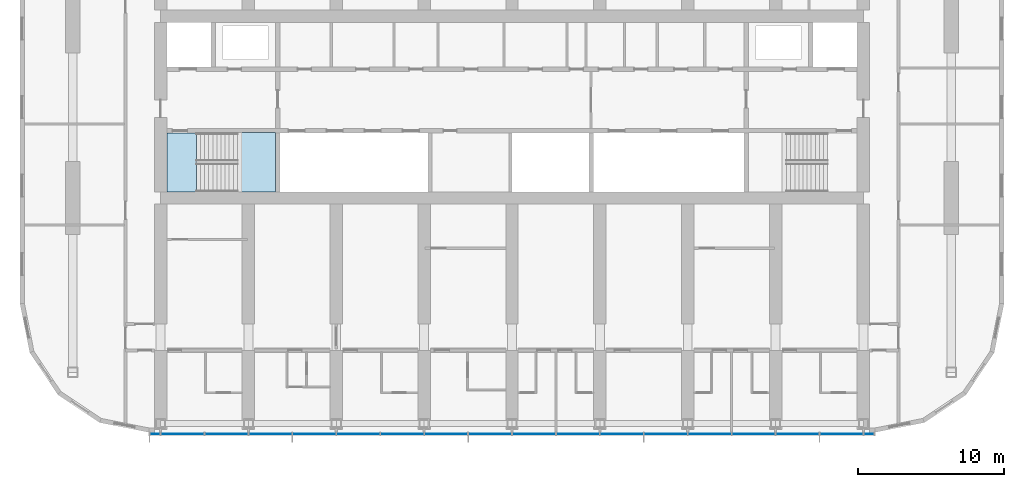
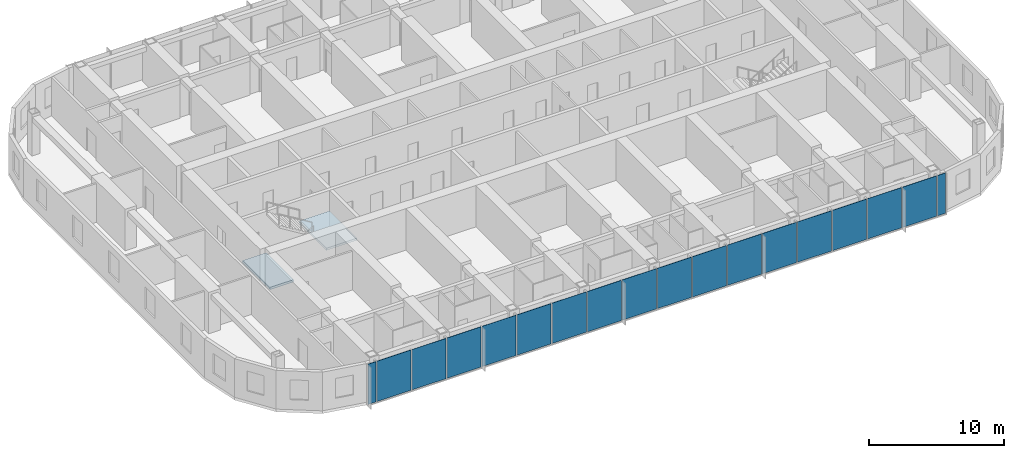
# One storey, part 7 of 23: 18 plates, 2 slabs, 2 elements without a shape of their own.
"""IFC4 building model written with IfcOpenShell, lengths in metres."""

from ifc_helpers import new_model, si_unit, direction, frame, origin, origin_2d, place, context, subcontext, project, spatial, polyline, rectangle, outline, extrude, material, layer, layer_set, type_object, element, aggregate, save


model = new_model("IFC4")

# Units and contexts
model_context = context("Model", 3, precision=1e-05, world=origin(), true_north=direction((0.0, 1.0)))
body_context = subcontext(model_context, "Body", "Model", "MODEL_VIEW")
ifc_project = project(units=[si_unit("LENGTHUNIT", "METRE"), si_unit("AREAUNIT", "SQUARE_METRE"), si_unit("VOLUMEUNIT", "CUBIC_METRE"), si_unit("PLANEANGLEUNIT", "RADIAN"), si_unit("MASSUNIT", "GRAM", prefix="KILO")], contexts=[model_context])

# Site, building, storey
site_placement = place(None, origin())
site = spatial("IfcSite", under=ifc_project, at=site_placement, CompositionType="ELEMENT")
building_placement = place(site_placement, origin())
building = spatial("IfcBuilding", under=site, at=building_placement, Name="Orbita Commons", CompositionType="ELEMENT")
storey_placement = place(building_placement, frame((0.0, 0.0, 171.10009765625)))
storey = spatial("IfcBuildingStorey", under=building, at=storey_placement, Name="L42", CompositionType="ELEMENT", Elevation=171.10009765625)

# Curtain wall, plates
ifc_material_1 = material(Name="Anodised aluminium frame, pale silver", Category="aluminium")
curtain_wall_type = type_object("IfcCurtainWallType", Name="Unitised curtain wall CW-U, full-height vision", PredefinedType="NOTDEFINED", material=ifc_material_1)
curtain_wall_placement = place(storey_placement, origin())
curtain_wall = element("IfcCurtainWall", 1, at=curtain_wall_placement, inside=storey, type_object=curtain_wall_type, Name="Curtain wall south L42", PredefinedType="NOTDEFINED")
ifc_material_2 = material(Name="Clear double glazing", Category="glass")
ifc_layer_1 = layer(ifc_material_2, 0.031982421875)
ifc_layer_set_1 = layer_set([ifc_layer_1], Name="Clear double glazing")
plate_type = type_object("IfcPlateType", Name="Full-height vision panel, clear glazing 32", PredefinedType="CURTAIN_PANEL", material=ifc_layer_set_1)
plate_1_placement = place(storey_placement, frame((17.6201171875, 9.68994140625, -0.150146484375), z_axis=(0.0, 0.0, 1.0), x_axis=(1.0, 0.0, 0.0)))
plate_1 = element("IfcPlate", 2, at=plate_1_placement, type_object=plate_type, Name="Panel 1.1 CW-L42-S", PredefinedType="CURTAIN_PANEL", context=body_context, shape_type="SweptSolid", body=[
    extrude(rectangle(XDim=0.679931640625, YDim=0.031982421875, at=origin_2d()), origin(), (0.0, 0.0, 1.0), 3.64990234375),
])
plate_2_placement = place(storey_placement, frame((19.5, 9.68994140625, -0.150146484375), z_axis=(0.0, 0.0, 1.0), x_axis=(1.0, 0.0, 0.0)))
plate_2 = element("IfcPlate", 3, at=plate_2_placement, type_object=plate_type, Name="Panel 2.1 CW-L42-S", PredefinedType="CURTAIN_PANEL", context=body_context, shape_type="SweptSolid", body=[
    extrude(rectangle(XDim=2.919921875, YDim=0.031982421875, at=origin_2d()), origin(), (0.0, 0.0, 1.0), 3.64990234375),
])
plate_3_placement = place(storey_placement, frame((22.5, 9.68994140625, -0.150146484375), z_axis=(0.0, 0.0, 1.0), x_axis=(1.0, 0.0, 0.0)))
plate_3 = element("IfcPlate", 4, at=plate_3_placement, type_object=plate_type, Name="Panel 3.1 CW-L42-S", PredefinedType="CURTAIN_PANEL", context=body_context, shape_type="SweptSolid", body=[
    extrude(rectangle(XDim=2.919921875, YDim=0.031982421875, at=origin_2d()), origin(), (0.0, 0.0, 1.0), 3.64990234375),
])
plate_4_placement = place(storey_placement, frame((25.5, 9.68994140625, -0.150146484375), z_axis=(0.0, 0.0, 1.0), x_axis=(1.0, 0.0, 0.0)))
plate_4 = element("IfcPlate", 5, at=plate_4_placement, type_object=plate_type, Name="Panel 4.1 CW-L42-S", PredefinedType="CURTAIN_PANEL", context=body_context, shape_type="SweptSolid", body=[
    extrude(rectangle(XDim=2.919921875, YDim=0.031982421875, at=origin_2d()), origin(), (0.0, 0.0, 1.0), 3.64990234375),
])
plate_5_placement = place(storey_placement, frame((28.5, 9.68994140625, -0.150146484375), z_axis=(0.0, 0.0, 1.0), x_axis=(1.0, 0.0, 0.0)))
plate_5 = element("IfcPlate", 6, at=plate_5_placement, type_object=plate_type, Name="Panel 5.1 CW-L42-S", PredefinedType="CURTAIN_PANEL", context=body_context, shape_type="SweptSolid", body=[
    extrude(rectangle(XDim=2.919921875, YDim=0.031982421875, at=origin_2d()), origin(), (0.0, 0.0, 1.0), 3.64990234375),
])
plate_6_placement = place(storey_placement, frame((31.5, 9.68994140625, -0.150146484375), z_axis=(0.0, 0.0, 1.0), x_axis=(1.0, 0.0, 0.0)))
plate_6 = element("IfcPlate", 7, at=plate_6_placement, type_object=plate_type, Name="Panel 6.1 CW-L42-S", PredefinedType="CURTAIN_PANEL", context=body_context, shape_type="SweptSolid", body=[
    extrude(rectangle(XDim=2.919921875, YDim=0.031982421875, at=origin_2d()), origin(), (0.0, 0.0, 1.0), 3.64990234375),
])
plate_7_placement = place(storey_placement, frame((34.5, 9.68994140625, -0.150146484375), z_axis=(0.0, 0.0, 1.0), x_axis=(1.0, 0.0, 0.0)))
plate_7 = element("IfcPlate", 8, at=plate_7_placement, type_object=plate_type, Name="Panel 7.1 CW-L42-S", PredefinedType="CURTAIN_PANEL", context=body_context, shape_type="SweptSolid", body=[
    extrude(rectangle(XDim=2.919921875, YDim=0.031982421875, at=origin_2d()), origin(), (0.0, 0.0, 1.0), 3.64990234375),
])
plate_8_placement = place(storey_placement, frame((37.5, 9.68994140625, -0.150146484375), z_axis=(0.0, 0.0, 1.0), x_axis=(1.0, 0.0, 0.0)))
plate_8 = element("IfcPlate", 9, at=plate_8_placement, type_object=plate_type, Name="Panel 8.1 CW-L42-S", PredefinedType="CURTAIN_PANEL", context=body_context, shape_type="SweptSolid", body=[
    extrude(rectangle(XDim=2.919921875, YDim=0.031982421875, at=origin_2d()), origin(), (0.0, 0.0, 1.0), 3.64990234375),
])
plate_9_placement = place(storey_placement, frame((40.5, 9.68994140625, -0.150146484375), z_axis=(0.0, 0.0, 1.0), x_axis=(1.0, 0.0, 0.0)))
plate_9 = element("IfcPlate", 10, at=plate_9_placement, type_object=plate_type, Name="Panel 9.1 CW-L42-S", PredefinedType="CURTAIN_PANEL", context=body_context, shape_type="SweptSolid", body=[
    extrude(rectangle(XDim=2.919921875, YDim=0.031982421875, at=origin_2d()), origin(), (0.0, 0.0, 1.0), 3.64990234375),
])
plate_10_placement = place(storey_placement, frame((43.5, 9.68994140625, -0.150146484375), z_axis=(0.0, 0.0, 1.0), x_axis=(1.0, 0.0, 0.0)))
plate_10 = element("IfcPlate", 11, at=plate_10_placement, type_object=plate_type, Name="Panel 10.1 CW-L42-S", PredefinedType="CURTAIN_PANEL", context=body_context, shape_type="SweptSolid", body=[
    extrude(rectangle(XDim=2.919921875, YDim=0.031982421875, at=origin_2d()), origin(), (0.0, 0.0, 1.0), 3.64990234375),
])
plate_11_placement = place(storey_placement, frame((46.5, 9.68994140625, -0.150146484375), z_axis=(0.0, 0.0, 1.0), x_axis=(1.0, 0.0, 0.0)))
plate_11 = element("IfcPlate", 12, at=plate_11_placement, type_object=plate_type, Name="Panel 11.1 CW-L42-S", PredefinedType="CURTAIN_PANEL", context=body_context, shape_type="SweptSolid", body=[
    extrude(rectangle(XDim=2.919921875, YDim=0.031982421875, at=origin_2d()), origin(), (0.0, 0.0, 1.0), 3.64990234375),
])
plate_12_placement = place(storey_placement, frame((49.5, 9.68994140625, -0.150146484375), z_axis=(0.0, 0.0, 1.0), x_axis=(1.0, 0.0, 0.0)))
plate_12 = element("IfcPlate", 13, at=plate_12_placement, type_object=plate_type, Name="Panel 12.1 CW-L42-S", PredefinedType="CURTAIN_PANEL", context=body_context, shape_type="SweptSolid", body=[
    extrude(rectangle(XDim=2.919921875, YDim=0.031982421875, at=origin_2d()), origin(), (0.0, 0.0, 1.0), 3.64990234375),
])
plate_13_placement = place(storey_placement, frame((52.5, 9.68994140625, -0.150146484375), z_axis=(0.0, 0.0, 1.0), x_axis=(1.0, 0.0, 0.0)))
plate_13 = element("IfcPlate", 14, at=plate_13_placement, type_object=plate_type, Name="Panel 13.1 CW-L42-S", PredefinedType="CURTAIN_PANEL", context=body_context, shape_type="SweptSolid", body=[
    extrude(rectangle(XDim=2.919921875, YDim=0.031982421875, at=origin_2d()), origin(), (0.0, 0.0, 1.0), 3.64990234375),
])
plate_14_placement = place(storey_placement, frame((55.5, 9.68994140625, -0.150146484375), z_axis=(0.0, 0.0, 1.0), x_axis=(1.0, 0.0, 0.0)))
plate_14 = element("IfcPlate", 15, at=plate_14_placement, type_object=plate_type, Name="Panel 14.1 CW-L42-S", PredefinedType="CURTAIN_PANEL", context=body_context, shape_type="SweptSolid", body=[
    extrude(rectangle(XDim=2.919921875, YDim=0.031982421875, at=origin_2d()), origin(), (0.0, 0.0, 1.0), 3.64990234375),
])
plate_15_placement = place(storey_placement, frame((58.5, 9.68994140625, -0.150146484375), z_axis=(0.0, 0.0, 1.0), x_axis=(1.0, 0.0, 0.0)))
plate_15 = element("IfcPlate", 16, at=plate_15_placement, type_object=plate_type, Name="Panel 15.1 CW-L42-S", PredefinedType="CURTAIN_PANEL", context=body_context, shape_type="SweptSolid", body=[
    extrude(rectangle(XDim=2.919921875, YDim=0.031982421875, at=origin_2d()), origin(), (0.0, 0.0, 1.0), 3.64990234375),
])
plate_16_placement = place(storey_placement, frame((61.5, 9.68994140625, -0.150146484375), z_axis=(0.0, 0.0, 1.0), x_axis=(1.0, 0.0, 0.0)))
plate_16 = element("IfcPlate", 17, at=plate_16_placement, type_object=plate_type, Name="Panel 16.1 CW-L42-S", PredefinedType="CURTAIN_PANEL", context=body_context, shape_type="SweptSolid", body=[
    extrude(rectangle(XDim=2.919921875, YDim=0.031982421875, at=origin_2d()), origin(), (0.0, 0.0, 1.0), 3.64990234375),
])
plate_17_placement = place(storey_placement, frame((64.5, 9.68994140625, -0.150146484375), z_axis=(0.0, 0.0, 1.0), x_axis=(1.0, 0.0, 0.0)))
plate_17 = element("IfcPlate", 18, at=plate_17_placement, type_object=plate_type, Name="Panel 17.1 CW-L42-S", PredefinedType="CURTAIN_PANEL", context=body_context, shape_type="SweptSolid", body=[
    extrude(rectangle(XDim=2.919921875, YDim=0.031982421875, at=origin_2d()), origin(), (0.0, 0.0, 1.0), 3.64990234375),
])
plate_18_placement = place(storey_placement, frame((66.3798828125, 9.68994140625, -0.150146484375), z_axis=(0.0, 0.0, 1.0), x_axis=(1.0, 0.0, 0.0)))
plate_18 = element("IfcPlate", 19, at=plate_18_placement, type_object=plate_type, Name="Panel 18.1 CW-L42-S", PredefinedType="CURTAIN_PANEL", context=body_context, shape_type="SweptSolid", body=[
    extrude(rectangle(XDim=0.679931640625, YDim=0.031982421875, at=origin_2d()), origin(), (0.0, 0.0, 1.0), 3.64990234375),
])
aggregate(curtain_wall, [plate_1, plate_2, plate_3, plate_4, plate_5, plate_6, plate_7, plate_8, plate_9, plate_10, plate_11, plate_12, plate_13, plate_14, plate_15, plate_16, plate_17, plate_18])

# Stair, slabs
ifc_material_3 = material(Name="Precast concrete C40/50", Category="concrete")
stair_type = type_object("IfcStairType", Name="Exit stair S1 2 flights 11 risers 170", PredefinedType="HALF_TURN_STAIR", material=ifc_material_3)
stair_placement = place(storey_placement, origin())
stair = element("IfcStair", 20, at=stair_placement, inside=storey, type_object=stair_type, Name="Exit stair S1 L42", PredefinedType="HALF_TURN_STAIR")
ifc_material_4 = material(Name="Concrete C40/50", Category="concrete")
ifc_layer_2 = layer(ifc_material_4, 0.199951171875)
ifc_layer_set_2 = layer_set([ifc_layer_2], Name="Concrete C40/50")
slab_type = type_object("IfcSlabType", Name="Stair landing 200", PredefinedType="LANDING", material=ifc_layer_set_2)
slab_1_placement = place(storey_placement, frame((0.0, 0.0, -0.2001953125)))
slab_1 = element("IfcSlab", 21, at=slab_1_placement, type_object=slab_type, Name="S1 landing 1", PredefinedType="LANDING", context=body_context, shape_type="SweptSolid", body=[
    extrude(outline(polyline([(18.425048828125, 26.22509765625), (20.449951171875, 26.22509765625), (20.449951171875, 30.25), (18.425048828125, 30.25), (18.425048828125, 26.22509765625)])), origin(), (0.0, 0.0, 1.0), 0.2001953125),
])
slab_2_placement = place(storey_placement, frame((0.0, 0.0, 1.6748046875)))
slab_2 = element("IfcSlab", 22, at=slab_2_placement, type_object=slab_type, Name="S1 landing 2", PredefinedType="LANDING", context=body_context, shape_type="SweptSolid", body=[
    extrude(outline(polyline([(23.25, 26.2099609375), (25.864990234375, 26.2099609375), (25.864990234375, 30.264892578125), (23.25, 30.264892578125), (23.25, 26.2099609375)])), origin(), (0.0, 0.0, 1.0), 0.2001953125),
])
aggregate(stair, [slab_1, slab_2])

save(model, "model.ifc")
